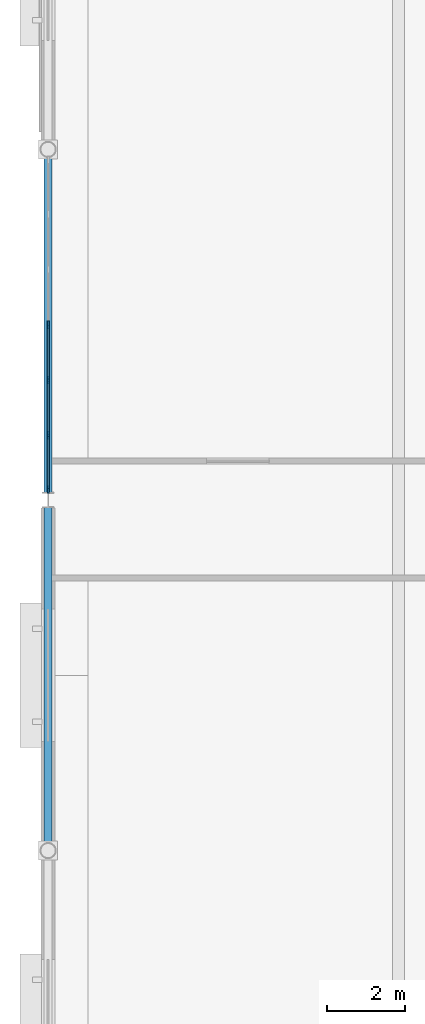
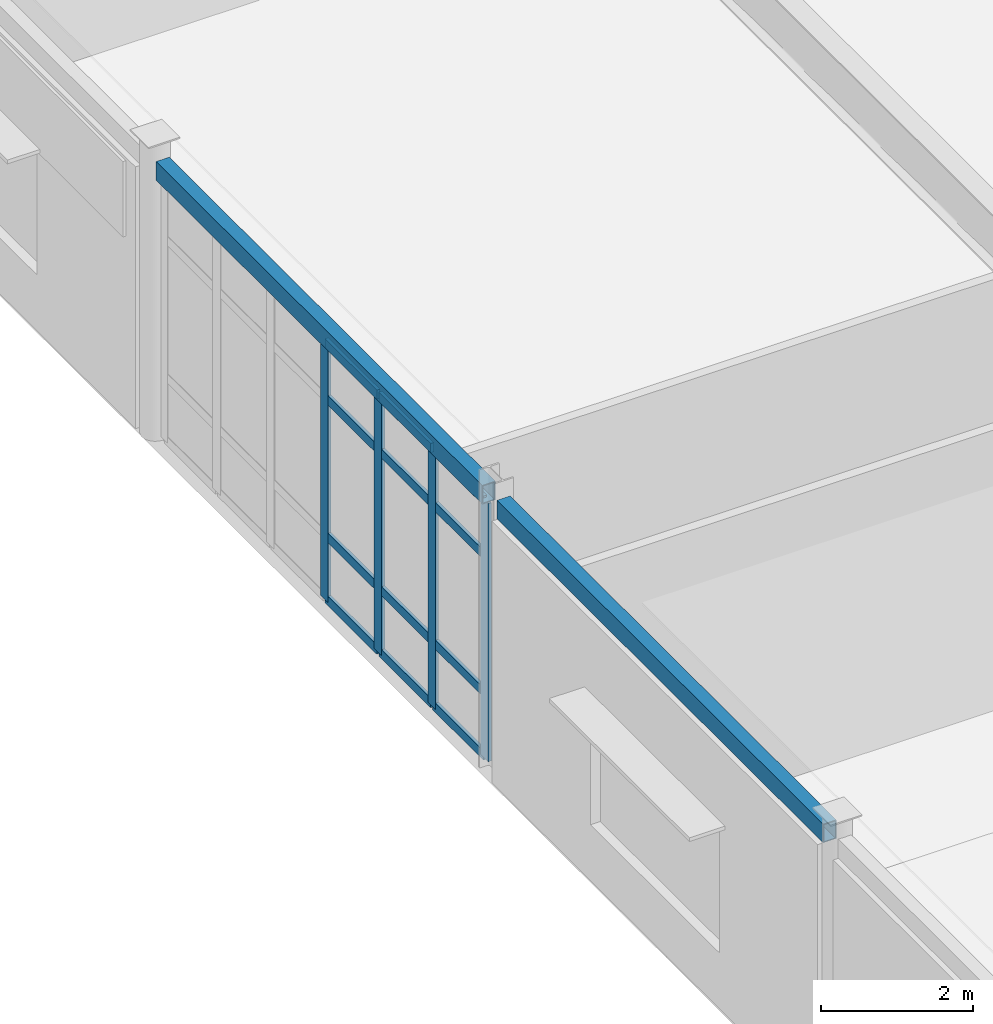
# One storey, part 37 of 84: 16 members, 2 beams, 1 element without a shape of its own.
"""IFC4 building model written with IfcOpenShell, lengths in metres."""

from ifc_helpers import new_model, si_unit, direction, frame, origin, origin_2d, place, context, subcontext, project, spatial, rectangle, hollow_rectangle, extrude, material, material_profile, profile_set, type_object, element, aggregate, save


model = new_model("IFC4")

# Units and contexts
model_context = context("Model", 3, precision=1e-05, world=origin(), true_north=direction((0.0, 1.0)))
body_context = subcontext(model_context, "Body", "Model", "MODEL_VIEW")
ifc_project = project(units=[si_unit("LENGTHUNIT", "METRE"), si_unit("AREAUNIT", "SQUARE_METRE"), si_unit("VOLUMEUNIT", "CUBIC_METRE"), si_unit("PLANEANGLEUNIT", "RADIAN"), si_unit("MASSUNIT", "GRAM", prefix="KILO")], contexts=[model_context])

# Site, building, storey
site_placement = place(None, origin())
site = spatial("IfcSite", under=ifc_project, at=site_placement, CompositionType="ELEMENT")
building_placement = place(site_placement, origin())
building = spatial("IfcBuilding", under=site, at=building_placement, Name="Glasvene Arena", CompositionType="ELEMENT")
storey_placement = place(building_placement, frame((0.0, 0.0, 10.199951171875)))
storey = spatial("IfcBuildingStorey", under=building, at=storey_placement, Name="L02", CompositionType="ELEMENT", Elevation=10.199951171875)

# Beams
ifc_material_1 = material(Name="Steel S355J2", Category="steel")
ifc_material_profile_1 = material_profile(ifc_material_1, hollow_rectangle(XDim=0.199951171875, YDim=0.300048828125, WallThickness=0.012451171875, at=origin_2d()), Name="RHS 300x200x12.5")
ifc_profile_set_1 = profile_set([ifc_material_profile_1], Name="Steel S355J2")
beam_type = type_object("IfcBeamType", Name="BM-SPAND-300", PredefinedType="SPANDREL", material=ifc_profile_set_1)
for number, where, z_axis, x_axis, name in (
    (1, (0.0, 82.1982421875, 4.3701171875), (0.0, 1.0, 0.0), (-1.0, 0.0, 0.0), "Primary Y girder L02-0835"),
    (2, (0.0, 91.195068359375, 4.3701171875), (0.0, 1.0, 0.0), (-1.0, 0.0, 0.0), "Primary Y girder L02-0836"),
):
    element("IfcBeam", number, at=place(storey_placement, frame(where, z_axis=z_axis, x_axis=x_axis)), inside=storey, type_object=beam_type, Name=name, PredefinedType="SPANDREL", context=body_context, shape_type="SweptSolid", body=[
        extrude(hollow_rectangle(XDim=0.199951171875, YDim=0.300048828125, WallThickness=0.012451171875, at=origin_2d()), origin(), (0.0, 0.0, 1.0), 8.606689453125),
    ])

# Curtain wall, members
ifc_material_2 = material(Name="Low-emissivity laminated double glazing", Category="glass")
curtain_wall_type = type_object("IfcCurtainWallType", Name="CW-FAC-L01-851x416", PredefinedType="USERDEFINED", material=ifc_material_2)
curtain_wall_placement = place(storey_placement, frame((0.0, 91.241943359375, 0.0)))
curtain_wall = element("IfcCurtainWall", 3, at=curtain_wall_placement, inside=storey, type_object=curtain_wall_type, Name="Unitised curtain wall CW-F-L02-180-0-955-4", ObjectType="CURTAIN WALL", PredefinedType="USERDEFINED")
ifc_material_3 = material(Name="Anodised architectural aluminium", Category="aluminium")
ifc_material_profile_2 = material_profile(ifc_material_3, rectangle(XDim=0.050048828125, YDim=0.199951171875, at=origin_2d()), Name="ALU MULLION 50x200")
ifc_profile_set_2 = profile_set([ifc_material_profile_2], Name="Anodised architectural aluminium")
member_type_1 = type_object("IfcMemberType", Name="CW-MUL-180", PredefinedType="MULLION", material=ifc_profile_set_2)
member_1_placement = place(storey_placement, frame((0.0, 91.26708984375, 0.06005859375), z_axis=(0.0, 0.0, 1.0), x_axis=(-1.0, 0.0, 0.0)))
member_1 = element("IfcMember", 4, at=member_1_placement, type_object=member_type_1, Name="CW-016 mullion 1", PredefinedType="MULLION", context=body_context, shape_type="SweptSolid", body=[
    extrude(rectangle(XDim=0.050048828125, YDim=0.199951171875, at=origin_2d()), origin(), (0.0, 0.0, 1.0), 4.155029296875),
])
member_2_placement = place(storey_placement, frame((0.0, 92.660888671875, 0.06005859375), z_axis=(0.0, 0.0, 1.0), x_axis=(-1.0, 0.0, 0.0)))
member_2 = element("IfcMember", 5, at=member_2_placement, type_object=member_type_1, Name="CW-016 mullion 2", PredefinedType="MULLION", context=body_context, shape_type="SweptSolid", body=[
    extrude(rectangle(XDim=0.050048828125, YDim=0.199951171875, at=origin_2d()), origin(), (0.0, 0.0, 1.0), 4.155029296875),
])
member_3_placement = place(storey_placement, frame((0.0, 94.07958984375, 0.06005859375), z_axis=(0.0, 0.0, 1.0), x_axis=(-1.0, 0.0, 0.0)))
member_3 = element("IfcMember", 6, at=member_3_placement, type_object=member_type_1, Name="CW-016 mullion 3", PredefinedType="MULLION", context=body_context, shape_type="SweptSolid", body=[
    extrude(rectangle(XDim=0.050048828125, YDim=0.199951171875, at=origin_2d()), origin(), (0.0, 0.0, 1.0), 4.155029296875),
])
member_4_placement = place(storey_placement, frame((0.0, 95.498291015625, 0.06005859375), z_axis=(0.0, 0.0, 1.0), x_axis=(-1.0, 0.0, 0.0)))
member_4 = element("IfcMember", 7, at=member_4_placement, type_object=member_type_1, Name="CW-016 mullion 4", PredefinedType="MULLION", context=body_context, shape_type="SweptSolid", body=[
    extrude(rectangle(XDim=0.050048828125, YDim=0.199951171875, at=origin_2d()), origin(), (0.0, 0.0, 1.0), 4.155029296875),
])
ifc_material_profile_3 = material_profile(ifc_material_3, rectangle(XDim=0.050048828125, YDim=0.14990234375, at=origin_2d()), Name="ALU TRANSOM 50x150")
ifc_profile_set_3 = profile_set([ifc_material_profile_3], Name="Anodised architectural aluminium")
member_type_2 = type_object("IfcMemberType", Name="CW-TRN-150", PredefinedType="USERDEFINED", material=ifc_profile_set_3)
member_5_placement = place(storey_placement, frame((0.0, 91.2919921875, 0.0849609375), z_axis=(0.0, 1.0, 0.0), x_axis=(-1.0, 0.0, 0.0)))
member_5 = element("IfcMember", 8, at=member_5_placement, type_object=member_type_2, Name="CW-016 transom 1.1", ObjectType="TRANSOM", PredefinedType="USERDEFINED", context=body_context, shape_type="SweptSolid", body=[
    extrude(rectangle(XDim=0.050048828125, YDim=0.14990234375, at=origin_2d()), origin(), (0.0, 0.0, 1.0), 1.34375),
])
member_6_placement = place(storey_placement, frame((0.0, 91.2919921875, 1.10009765625), z_axis=(0.0, 1.0, 0.0), x_axis=(-1.0, 0.0, 0.0)))
member_6 = element("IfcMember", 9, at=member_6_placement, type_object=member_type_2, Name="CW-016 transom 1.2", ObjectType="TRANSOM", PredefinedType="USERDEFINED", context=body_context, shape_type="SweptSolid", body=[
    extrude(rectangle(XDim=0.050048828125, YDim=0.14990234375, at=origin_2d()), origin(), (0.0, 0.0, 1.0), 1.34375),
])
member_7_placement = place(storey_placement, frame((0.0, 91.2919921875, 3.31494140625), z_axis=(0.0, 1.0, 0.0), x_axis=(-1.0, 0.0, 0.0)))
member_7 = element("IfcMember", 10, at=member_7_placement, type_object=member_type_2, Name="CW-016 transom 1.3", ObjectType="TRANSOM", PredefinedType="USERDEFINED", context=body_context, shape_type="SweptSolid", body=[
    extrude(rectangle(XDim=0.050048828125, YDim=0.14990234375, at=origin_2d()), origin(), (0.0, 0.0, 1.0), 1.34375),
])
member_8_placement = place(storey_placement, frame((0.0, 91.2919921875, 4.18994140625), z_axis=(0.0, 1.0, 0.0), x_axis=(-1.0, 0.0, 0.0)))
member_8 = element("IfcMember", 11, at=member_8_placement, type_object=member_type_2, Name="CW-016 transom 1.4", ObjectType="TRANSOM", PredefinedType="USERDEFINED", context=body_context, shape_type="SweptSolid", body=[
    extrude(rectangle(XDim=0.050048828125, YDim=0.14990234375, at=origin_2d()), origin(), (0.0, 0.0, 1.0), 1.34375),
])
member_9_placement = place(storey_placement, frame((0.0, 92.685791015625, 0.0849609375), z_axis=(0.0, 1.0, 0.0), x_axis=(-1.0, 0.0, 0.0)))
member_9 = element("IfcMember", 12, at=member_9_placement, type_object=member_type_2, Name="CW-016 transom 2.1", ObjectType="TRANSOM", PredefinedType="USERDEFINED", context=body_context, shape_type="SweptSolid", body=[
    extrude(rectangle(XDim=0.050048828125, YDim=0.14990234375, at=origin_2d()), origin(), (0.0, 0.0, 1.0), 1.368896484375),
])
member_10_placement = place(storey_placement, frame((0.0, 92.685791015625, 1.10009765625), z_axis=(0.0, 1.0, 0.0), x_axis=(-1.0, 0.0, 0.0)))
member_10 = element("IfcMember", 13, at=member_10_placement, type_object=member_type_2, Name="CW-016 transom 2.2", ObjectType="TRANSOM", PredefinedType="USERDEFINED", context=body_context, shape_type="SweptSolid", body=[
    extrude(rectangle(XDim=0.050048828125, YDim=0.14990234375, at=origin_2d()), origin(), (0.0, 0.0, 1.0), 1.368896484375),
])
member_11_placement = place(storey_placement, frame((0.0, 92.685791015625, 3.31494140625), z_axis=(0.0, 1.0, 0.0), x_axis=(-1.0, 0.0, 0.0)))
member_11 = element("IfcMember", 14, at=member_11_placement, type_object=member_type_2, Name="CW-016 transom 2.3", ObjectType="TRANSOM", PredefinedType="USERDEFINED", context=body_context, shape_type="SweptSolid", body=[
    extrude(rectangle(XDim=0.050048828125, YDim=0.14990234375, at=origin_2d()), origin(), (0.0, 0.0, 1.0), 1.368896484375),
])
member_12_placement = place(storey_placement, frame((0.0, 92.685791015625, 4.18994140625), z_axis=(0.0, 1.0, 0.0), x_axis=(-1.0, 0.0, 0.0)))
member_12 = element("IfcMember", 15, at=member_12_placement, type_object=member_type_2, Name="CW-016 transom 2.4", ObjectType="TRANSOM", PredefinedType="USERDEFINED", context=body_context, shape_type="SweptSolid", body=[
    extrude(rectangle(XDim=0.050048828125, YDim=0.14990234375, at=origin_2d()), origin(), (0.0, 0.0, 1.0), 1.368896484375),
])
member_13_placement = place(storey_placement, frame((0.0, 94.1044921875, 0.0849609375), z_axis=(0.0, 1.0, 0.0), x_axis=(-1.0, 0.0, 0.0)))
member_13 = element("IfcMember", 16, at=member_13_placement, type_object=member_type_2, Name="CW-016 transom 3.1", ObjectType="TRANSOM", PredefinedType="USERDEFINED", context=body_context, shape_type="SweptSolid", body=[
    extrude(rectangle(XDim=0.050048828125, YDim=0.14990234375, at=origin_2d()), origin(), (0.0, 0.0, 1.0), 1.368896484375),
])
member_14_placement = place(storey_placement, frame((0.0, 94.1044921875, 1.10009765625), z_axis=(0.0, 1.0, 0.0), x_axis=(-1.0, 0.0, 0.0)))
member_14 = element("IfcMember", 17, at=member_14_placement, type_object=member_type_2, Name="CW-016 transom 3.2", ObjectType="TRANSOM", PredefinedType="USERDEFINED", context=body_context, shape_type="SweptSolid", body=[
    extrude(rectangle(XDim=0.050048828125, YDim=0.14990234375, at=origin_2d()), origin(), (0.0, 0.0, 1.0), 1.368896484375),
])
member_15_placement = place(storey_placement, frame((0.0, 94.1044921875, 3.31494140625), z_axis=(0.0, 1.0, 0.0), x_axis=(-1.0, 0.0, 0.0)))
member_15 = element("IfcMember", 18, at=member_15_placement, type_object=member_type_2, Name="CW-016 transom 3.3", ObjectType="TRANSOM", PredefinedType="USERDEFINED", context=body_context, shape_type="SweptSolid", body=[
    extrude(rectangle(XDim=0.050048828125, YDim=0.14990234375, at=origin_2d()), origin(), (0.0, 0.0, 1.0), 1.368896484375),
])
member_16_placement = place(storey_placement, frame((0.0, 94.1044921875, 4.18994140625), z_axis=(0.0, 1.0, 0.0), x_axis=(-1.0, 0.0, 0.0)))
member_16 = element("IfcMember", 19, at=member_16_placement, type_object=member_type_2, Name="CW-016 transom 3.4", ObjectType="TRANSOM", PredefinedType="USERDEFINED", context=body_context, shape_type="SweptSolid", body=[
    extrude(rectangle(XDim=0.050048828125, YDim=0.14990234375, at=origin_2d()), origin(), (0.0, 0.0, 1.0), 1.368896484375),
])
aggregate(curtain_wall, [member_1, member_2, member_3, member_4, member_5, member_6, member_7, member_8, member_9, member_10, member_11, member_12, member_13, member_14, member_15, member_16])

save(model, "model.ifc")
